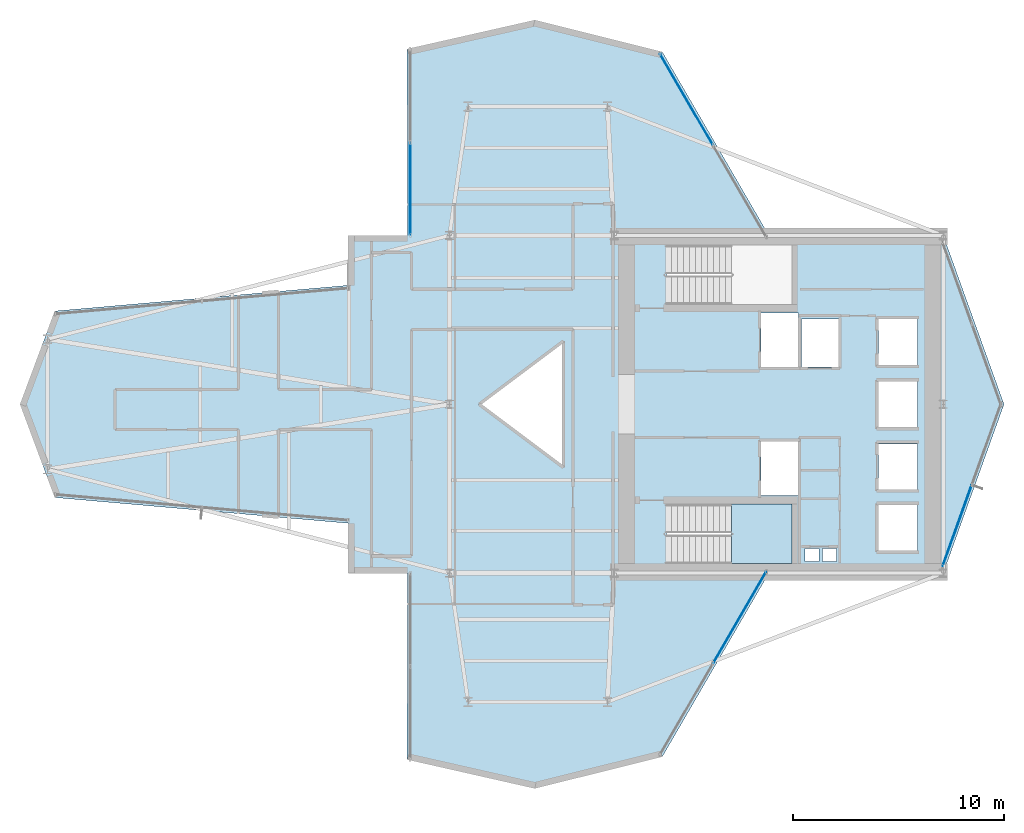
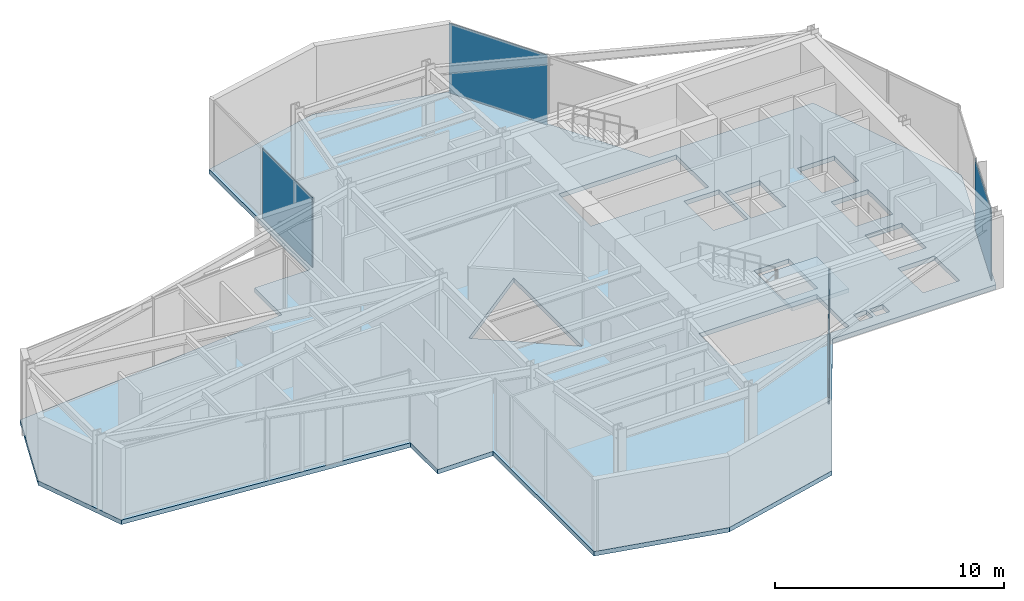
# One storey, part 20 of 25: 4 plates, 2 slabs, 5 elements without a shape of their own.
"""IFC4 building model written with IfcOpenShell, lengths in metres."""

from ifc_helpers import new_model, si_unit, direction, frame, origin, origin_2d, place, context, subcontext, project, spatial, polyline, rectangle, outline, extrude, material, layer, layer_set, type_object, element, aggregate, save


model = new_model("IFC4")

# Units and contexts
model_context = context("Model", 3, precision=1e-05, world=origin(), true_north=direction((0.0, 1.0)))
body_context = subcontext(model_context, "Body", "Model", "MODEL_VIEW")
ifc_project = project(units=[si_unit("LENGTHUNIT", "METRE"), si_unit("AREAUNIT", "SQUARE_METRE"), si_unit("VOLUMEUNIT", "CUBIC_METRE"), si_unit("PLANEANGLEUNIT", "RADIAN"), si_unit("MASSUNIT", "GRAM", prefix="KILO")], contexts=[model_context])

# Site, building, storey
site_placement = place(None, origin())
site = spatial("IfcSite", under=ifc_project, at=site_placement, CompositionType="ELEMENT")
building_placement = place(site_placement, origin())
building = spatial("IfcBuilding", under=site, at=building_placement, Name="Veymaron Broadcast Tower", CompositionType="ELEMENT")
storey_placement = place(building_placement, frame((0.0, 0.0, 169.5)))
storey = spatial("IfcBuildingStorey", under=building, at=storey_placement, Name="L39", CompositionType="ELEMENT", Elevation=169.5)

# Curtain wall, plate
ifc_material_1 = material(Name="Anodised aluminium AA 6063-T6 and laminated low-E dark glass", Category="aluminium")
ifc_layer_1 = layer(ifc_material_1, 0.179931640625)
ifc_layer_set_1 = layer_set([ifc_layer_1], Name="Anodised aluminium AA 6063-T6 and laminated low-E dark glass")
curtain_wall_type = type_object("IfcCurtainWallType", Name="CW-SYS-03", PredefinedType="NOTDEFINED", material=ifc_layer_set_1)
curtain_wall_1_placement = place(storey_placement, origin())
curtain_wall_1 = element("IfcCurtainWall", 1, at=curtain_wall_1_placement, inside=storey, type_object=curtain_wall_type, Name="L39 dark-glass curtain wall CW-L39-E2-1", PredefinedType="NOTDEFINED")
ifc_material_2 = material(Name="Insulated dark-anodised aluminium spandrel panel 40 mm", Category="aluminium")
ifc_layer_2 = layer(ifc_material_2, 0.0400390625)
ifc_layer_set_2 = layer_set([ifc_layer_2], Name="Insulated dark-anodised aluminium spandrel panel 40 mm")
plate_type = type_object("IfcPlateType", Name="CW-PNL-03", PredefinedType="CURTAIN_PANEL", material=ifc_layer_set_2)
plate_1_placement = place(storey_placement, frame((55.25537109375, 18.236083984375, 0.0400390625), z_axis=(0.0, 0.0, 1.0), x_axis=(0.338409470269, 0.94099895347, 0.0)))
plate_1 = element("IfcPlate", 2, at=plate_1_placement, type_object=plate_type, Name="CW-L39-E2-1 unitised curtain panel 0", PredefinedType="CURTAIN_PANEL", context=body_context, shape_type="SweptSolid", body=[
    extrude(rectangle(XDim=4.05712890625, YDim=0.0400390625, at=origin_2d()), origin(), (0.0, 0.0, 1.0), 3.72998046875),
])
aggregate(curtain_wall_1, [plate_1])

curtain_wall_2_placement = place(storey_placement, origin())
curtain_wall_2 = element("IfcCurtainWall", 3, at=curtain_wall_2_placement, inside=storey, type_object=curtain_wall_type, Name="L39 dark-glass curtain wall CW-L39-E5-1", PredefinedType="NOTDEFINED")
plate_2_placement = place(storey_placement, frame((42.4287109375, 38.4501953125, 0.0400390625), z_axis=(0.0, 0.0, 1.0), x_axis=(-0.502084416969, 0.864818615801, 0.0)))
plate_2 = element("IfcPlate", 4, at=plate_2_placement, type_object=plate_type, Name="CW-L39-E5-1 unitised curtain panel 1", PredefinedType="CURTAIN_PANEL", context=body_context, shape_type="SweptSolid", body=[
    extrude(rectangle(XDim=4.966552734375, YDim=0.0400390625, at=origin_2d()), origin(), (0.0, 0.0, 1.0), 3.72998046875),
])
aggregate(curtain_wall_2, [plate_2])

curtain_wall_3_placement = place(storey_placement, origin())
curtain_wall_3 = element("IfcCurtainWall", 5, at=curtain_wall_3_placement, inside=storey, type_object=curtain_wall_type, Name="L39 dark-glass curtain wall CW-L39-E8-1", PredefinedType="NOTDEFINED")
plate_3_placement = place(storey_placement, frame((29.343505859375, 34.2080078125, 0.0400390625), z_axis=(0.0, 0.0, 1.0), x_axis=(0.001448622772, -0.999998950745, 0.0)))
plate_3 = element("IfcPlate", 6, at=plate_3_placement, type_object=plate_type, Name="CW-L39-E8-1 unitised curtain panel 1", PredefinedType="CURTAIN_PANEL", context=body_context, shape_type="SweptSolid", body=[
    extrude(rectangle(XDim=4.35546875, YDim=0.0400390625, at=origin_2d()), origin(), (0.0, 0.0, 1.0), 3.72998046875),
])
aggregate(curtain_wall_3, [plate_3])

curtain_wall_4_placement = place(storey_placement, origin())
curtain_wall_4 = element("IfcCurtainWall", 7, at=curtain_wall_4_placement, inside=storey, type_object=curtain_wall_type, Name="L39 dark-glass curtain wall CW-L39-E20-1", PredefinedType="NOTDEFINED")
plate_4_placement = place(storey_placement, frame((44.952392578125, 13.896728515625, 0.0400390625), z_axis=(0.0, 0.0, 1.0), x_axis=(0.502084416969, 0.864818615801, 0.0)))
plate_4 = element("IfcPlate", 8, at=plate_4_placement, type_object=plate_type, Name="CW-L39-E20-1 unitised curtain panel 1", PredefinedType="CURTAIN_PANEL", context=body_context, shape_type="SweptSolid", body=[
    extrude(rectangle(XDim=4.966552734375, YDim=0.0400390625, at=origin_2d()), origin(), (0.0, 0.0, 1.0), 3.72998046875),
])
aggregate(curtain_wall_4, [plate_4])

# Slab
ifc_material_3 = material(Name="Concrete C40/50", Category="concrete")
ifc_layer_3 = layer(ifc_material_3, 0.239990234375)
ifc_layer_set_3 = layer_set([ifc_layer_3], Name="Concrete C40/50")
slab_type_1 = type_object("IfcSlabType", Name="SLAB-FS6", PredefinedType="FLOOR", material=ifc_layer_set_3)
slab_1_placement = place(storey_placement, frame((0.0, 0.0, -0.239990234375)))
element("IfcSlab", 9, at=slab_1_placement, inside=storey, type_object=slab_type_1, Name="L39 structural floor slab", PredefinedType="FLOOR", context=body_context, shape_type="SweptSolid", body=[
    extrude(outline(polyline([(46.33544921875, 16.0), (54.60009765625, 16.0), (57.47705078125, 24.0), (54.60009765625, 32.0), (46.33544921875, 32.0), (41.2880859375, 40.694091796875), (35.240966796875, 42.200927734375), (29.194091796875, 40.8310546875), (29.206787109375, 32.0), (26.407958984375, 32.0), (26.407958984375, 29.638916015625), (12.5, 28.4189453125), (10.85595703125, 24.0), (12.5, 19.5810546875), (26.407958984375, 18.361083984375), (26.407958984375, 16.0), (29.206787109375, 16.0), (29.194091796875, 7.1689453125), (35.240966796875, 5.799072265625), (41.2880859375, 7.305908203125), (46.33544921875, 16.0)]), holes=[polyline([(45.969970703125, 28.330078125), (47.72998046875, 28.330078125), (47.72998046875, 25.77001953125), (45.969970703125, 25.77001953125), (45.969970703125, 28.330078125)]), polyline([(45.969970703125, 22.22998046875), (47.72998046875, 22.22998046875), (47.72998046875, 19.669921875), (45.969970703125, 19.669921875), (45.969970703125, 22.22998046875)]), polyline([(47.8701171875, 28.030029296875), (49.6298828125, 28.030029296875), (49.6298828125, 25.77001953125), (47.8701171875, 25.77001953125), (47.8701171875, 28.030029296875)]), polyline([(51.52001953125, 28.030029296875), (53.3798828125, 28.030029296875), (53.3798828125, 25.8701171875), (51.52001953125, 25.8701171875), (51.52001953125, 28.030029296875)]), polyline([(51.52001953125, 22.1298828125), (53.3798828125, 22.1298828125), (53.3798828125, 19.969970703125), (51.52001953125, 19.969970703125), (51.52001953125, 22.1298828125)]), polyline([(51.52001953125, 25.080078125), (53.3798828125, 25.080078125), (53.3798828125, 22.919921875), (51.52001953125, 22.919921875), (51.52001953125, 25.080078125)]), polyline([(51.52001953125, 19.22998046875), (53.3798828125, 19.22998046875), (53.3798828125, 17.070068359375), (51.52001953125, 17.070068359375), (51.52001953125, 19.22998046875)]), polyline([(48.050048828125, 17.159912109375), (48.719970703125, 17.159912109375), (48.719970703125, 16.56005859375), (48.050048828125, 16.56005859375), (48.050048828125, 17.159912109375)]), polyline([(48.8798828125, 17.159912109375), (49.550048828125, 17.159912109375), (49.550048828125, 16.56005859375), (48.8798828125, 16.56005859375), (48.8798828125, 17.159912109375)]), polyline([(36.60009765625, 27.0), (36.60009765625, 21.0), (32.60009765625, 24.0), (36.60009765625, 27.0)]), polyline([(41.489990234375, 31.550048828125), (47.43994140625, 31.550048828125), (47.43994140625, 28.72998046875), (41.489990234375, 28.72998046875), (41.489990234375, 31.550048828125)]), polyline([(41.489990234375, 19.27001953125), (47.43994140625, 19.27001953125), (47.43994140625, 16.449951171875), (41.489990234375, 16.449951171875), (41.489990234375, 19.27001953125)])]), origin(), (0.0, 0.0, 1.0), 0.239990234375),
])

# Stair, slab
ifc_material_4 = material(Name="Concrete C50/60", Category="concrete")
stair_type = type_object("IfcStairType", Name="STAIR-CORE-2", PredefinedType="HALF_TURN_STAIR", material=ifc_material_4)
stair_placement = place(storey_placement, origin())
stair = element("IfcStair", 10, at=stair_placement, inside=storey, type_object=stair_type, Name="L39 South protected dog-leg exit stair ST2", PredefinedType="HALF_TURN_STAIR")
ifc_layer_4 = layer(ifc_material_4, 0.199951171875)
ifc_layer_set_4 = layer_set([ifc_layer_4], Name="Concrete C50/60")
slab_type_2 = type_object("IfcSlabType", Name="SLAB-STAIR-LDG", PredefinedType="LANDING", material=ifc_layer_set_4)
slab_2_placement = place(storey_placement, frame((0.0, 0.0, 1.824951171875)))
slab_2 = element("IfcSlab", 11, at=slab_2_placement, type_object=slab_type_2, Name="ST2 landing 1", PredefinedType="LANDING", context=body_context, shape_type="SweptSolid", body=[
    extrude(outline(polyline([(44.56494140625, 16.449951171875), (47.43994140625, 16.449951171875), (47.43994140625, 19.27001953125), (44.56494140625, 19.27001953125), (44.56494140625, 16.449951171875)])), origin(), (0.0, 0.0, 1.0), 0.199951171875),
])
aggregate(stair, [slab_2])

save(model, "model.ifc")
